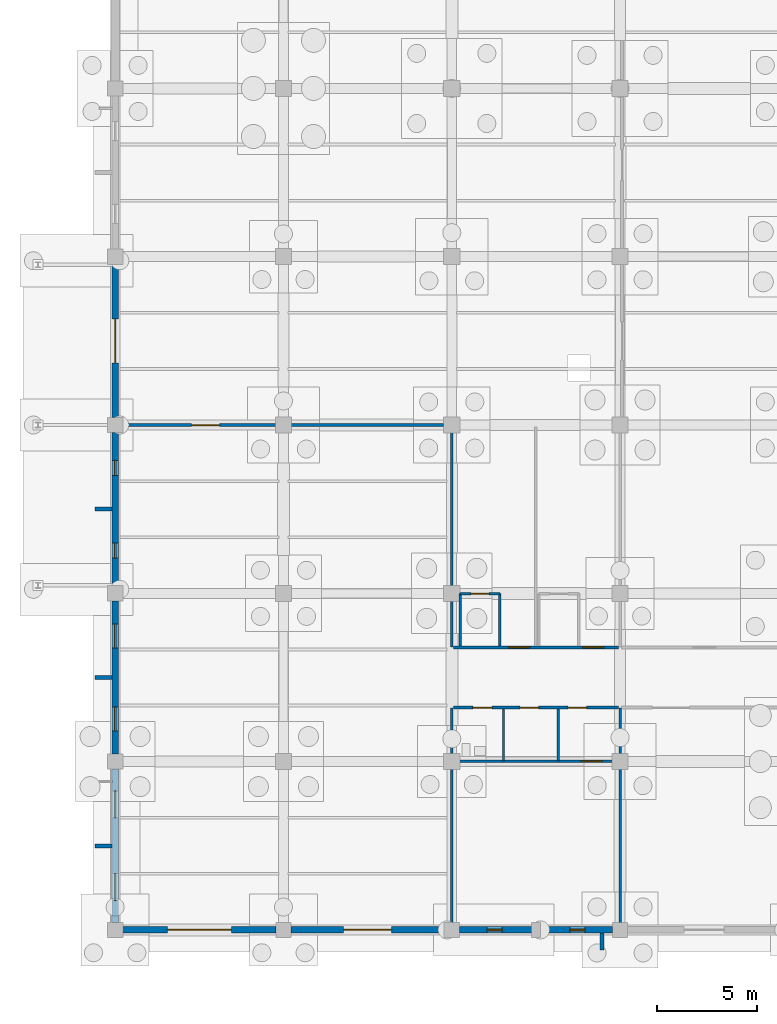
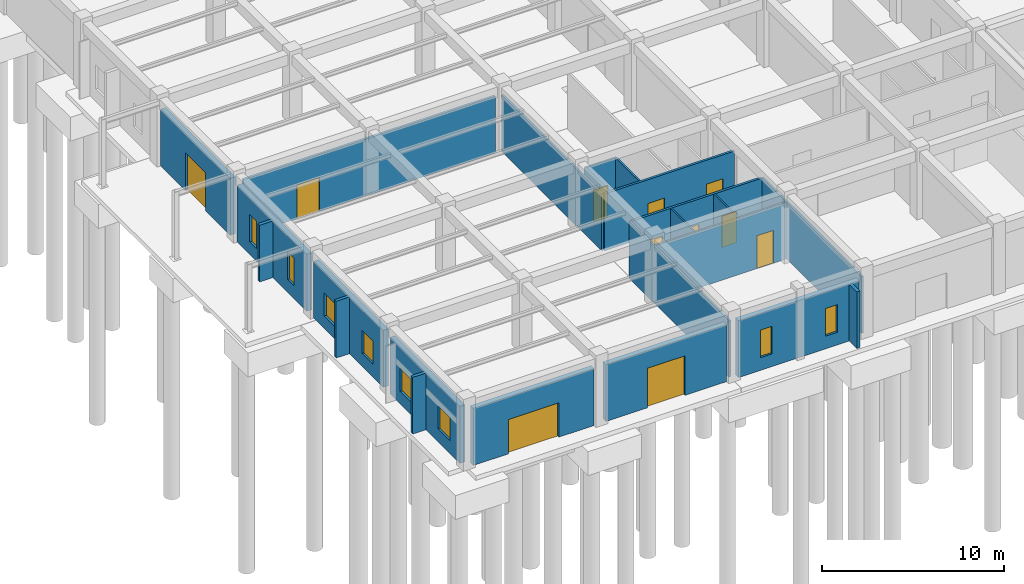
# One storey, part 149 of 192: 23 walls, 11 doors, 8 windows, 19 openings.
"""IFC4 building model written with IfcOpenShell, lengths in metres."""

from ifc_helpers import new_model, si_unit, direction, frame, frame_2d, origin, place, context, subcontext, project, spatial, rectangle, extrude, material, layer, layer_set, type_object, element, fill, save


model = new_model("IFC4")

# Units and contexts
model_context = context("Model", 3, precision=1e-05, world=origin(), true_north=direction((0.0, 1.0)))
body_context = subcontext(model_context, "Body", "Model", "MODEL_VIEW")
ifc_project = project(units=[si_unit("LENGTHUNIT", "METRE"), si_unit("AREAUNIT", "SQUARE_METRE"), si_unit("VOLUMEUNIT", "CUBIC_METRE"), si_unit("PLANEANGLEUNIT", "RADIAN"), si_unit("MASSUNIT", "GRAM", prefix="KILO")], contexts=[model_context])

# Site, building, storey
site_placement = place(None, origin())
site = spatial("IfcSite", under=ifc_project, at=site_placement, CompositionType="ELEMENT")
building_placement = place(site_placement, origin())
building = spatial("IfcBuilding", under=site, at=building_placement, Name="Trelvath General Hospital", CompositionType="ELEMENT")
storey_placement = place(building_placement, origin())
storey = spatial("IfcBuildingStorey", under=building, at=storey_placement, Name="L00", CompositionType="ELEMENT", Elevation=0.0)

# Walls
ifc_material_1 = material(Name="Precast concrete C40/50", Category="concrete")
ifc_layer_1 = layer(ifc_material_1, 0.199951171875)
ifc_layer_set_1 = layer_set([ifc_layer_1], Name="Precast concrete C40/50")
wall_type_1 = type_object("IfcWallType", Name="BriseSoleilRib 200", PredefinedType="ELEMENTEDWALL", material=ifc_layer_set_1)
for number, where, z_axis, x_axis, name in (
    (1, (-0.14990234375, 4.199951171875, 0.0), (0.0, 0.0, 1.0), (-1.0, 0.0, 0.0), "Precast Concrete Brise-Soleil Rib Fin L00-1"),
    (2, (-0.14990234375, 12.60009765625, 0.0), (0.0, 0.0, 1.0), (-1.0, 0.0, 0.0), "Precast Concrete Brise-Soleil Rib Fin L00-2"),
    (3, (-0.14990234375, 21.0, 0.0), (0.0, 0.0, 1.0), (-1.0, 0.0, 0.0), "Precast Concrete Brise-Soleil Rib Fin L00-3"),
    (4, (24.28955078125, -0.14990234375, 0.0), (0.0, 0.0, 1.0), (0.0, -1.0, 0.0), "Precast Concrete Brise-Soleil Rib Fin L00-12"),
):
    element("IfcWall", number, at=place(storey_placement, frame(where, z_axis=z_axis, x_axis=x_axis)), inside=storey, type_object=wall_type_1, Name=name, PredefinedType="ELEMENTEDWALL", context=body_context, shape_type="SweptSolid", body=[
        extrude(rectangle(XDim=0.85009765625, YDim=0.199951171875, at=frame_2d((0.425048828125, 0.0))), origin(), (0.0, 0.0, 1.0), 3.800048828125),
    ])

# Wall, openings, doors
ifc_material_2 = material(Name="Gypsum acoustic steel-stud partition", Category="steel")
ifc_layer_2 = layer(ifc_material_2, 0.14990234375)
ifc_layer_set_2 = layer_set([ifc_layer_2], Name="Gypsum acoustic steel-stud partition")
wall_type_2 = type_object("IfcWallType", Name="ClinicalPartition 150", PredefinedType="PARTITIONING", material=ifc_layer_set_2)
wall_1_placement = place(storey_placement, frame((16.8798828125, 11.10009765625, 0.0), z_axis=(0.0, 0.0, 1.0), x_axis=(1.0, 0.0, 0.0)))
wall_1 = element("IfcWall", 5, at=wall_1_placement, inside=storey, type_object=wall_type_2, Name="Corridor Partition L00-11", PredefinedType="PARTITIONING", context=body_context, shape_type="SweptSolid", body=[
    extrude(rectangle(XDim=8.240234375, YDim=0.14990234375, at=frame_2d((4.1201171875, 0.0))), origin(), (0.0, 0.0, 1.0), 3.800048828125),
])
opening_1_placement = place(wall_1_placement, frame((0.97998046875, 0.0, 0.0)))
opening_1 = element("IfcOpeningElement", 6, at=opening_1_placement, cuts=wall_1, Name="Opening D-0-0285", PredefinedType="OPENING", context=body_context, shape_type="SweptSolid", body=[
    extrude(rectangle(XDim=0.949951171875, YDim=2.14990234375, at=frame_2d((0.47509765625, 1.074951171875))), frame((0.0, 0.0849609375, 0.0), z_axis=(0.0, -1.0, 0.0), x_axis=(1.0, 0.0, 0.0)), (0.0, 0.0, 1.0), 0.169921875),
])
opening_2_placement = place(wall_1_placement, frame((3.330078125, 0.0, 0.0)))
opening_2 = element("IfcOpeningElement", 7, at=opening_2_placement, cuts=wall_1, Name="Opening D-0-0286", PredefinedType="OPENING", context=body_context, shape_type="SweptSolid", body=[
    extrude(rectangle(XDim=0.919921875, YDim=2.10009765625, at=frame_2d((0.4599609375, 1.050048828125))), frame((0.0, 0.0849609375, 0.0), z_axis=(0.0, -1.0, 0.0), x_axis=(1.0, 0.0, 0.0)), (0.0, 0.0, 1.0), 0.169921875),
])
opening_3_placement = place(wall_1_placement, frame((5.72998046875, 0.0, 0.0)))
opening_3 = element("IfcOpeningElement", 8, at=opening_3_placement, cuts=wall_1, Name="Opening D-0-0287", PredefinedType="OPENING", context=body_context, shape_type="SweptSolid", body=[
    extrude(rectangle(XDim=0.919921875, YDim=2.10009765625, at=frame_2d((0.4599609375, 1.050048828125))), frame((0.0, 0.0849609375, 0.0), z_axis=(0.0, -1.0, 0.0), x_axis=(1.0, 0.0, 0.0)), (0.0, 0.0, 1.0), 0.169921875),
])
ifc_material_3 = material(Name="Moisture-sealed timber leaf", Category="wood")
door_type_1 = type_object("IfcDoorType", Name="Door AccessibleWC 950x2150", OperationType="NOTDEFINED", PredefinedType="DOOR", material=ifc_material_3)
door_1_placement = place(opening_1_placement, origin())
door_1 = element("IfcDoor", 9, at=door_1_placement, inside=storey, type_object=door_type_1, Name="Accessible WC Door L00-285", OperationType="SINGLE_SWING_LEFT", OverallHeight=2.14990234375, OverallWidth=0.949951171875, PredefinedType="DOOR", context=body_context, shape_type="SweptSolid", body=[
    extrude(rectangle(XDim=0.949951171875, YDim=2.14990234375, at=frame_2d((0.47509765625, 1.074951171875))), frame((0.0, 0.02490234375, 0.0), z_axis=(0.0, -1.0, 0.0), x_axis=(1.0, 0.0, 0.0)), (0.0, 0.0, 1.0), 0.050048828125),
])
fill(opening_1, door_1)
ifc_material_4 = material(Name="Moisture-sealed timber leaf", Category="wood")
door_type_2 = type_object("IfcDoorType", Name="Door StaffWC 920x2100", OperationType="NOTDEFINED", PredefinedType="DOOR", material=ifc_material_4)
door_2_placement = place(opening_2_placement, origin())
door_2 = element("IfcDoor", 10, at=door_2_placement, inside=storey, type_object=door_type_2, Name="Public WC Door L00-286", OperationType="SINGLE_SWING_RIGHT", OverallHeight=2.10009765625, OverallWidth=0.919921875, PredefinedType="DOOR", context=body_context, shape_type="SweptSolid", body=[
    extrude(rectangle(XDim=0.919921875, YDim=2.10009765625, at=frame_2d((0.4599609375, 1.050048828125))), frame((0.0, 0.02490234375, 0.0), z_axis=(0.0, -1.0, 0.0), x_axis=(1.0, 0.0, 0.0)), (0.0, 0.0, 1.0), 0.050048828125),
])
fill(opening_2, door_2)
door_3_placement = place(opening_3_placement, origin())
door_3 = element("IfcDoor", 11, at=door_3_placement, inside=storey, type_object=door_type_2, Name="Staff WC Door L00-287", OperationType="SINGLE_SWING_LEFT", OverallHeight=2.10009765625, OverallWidth=0.919921875, PredefinedType="DOOR", context=body_context, shape_type="SweptSolid", body=[
    extrude(rectangle(XDim=0.919921875, YDim=2.10009765625, at=frame_2d((0.4599609375, 1.050048828125))), frame((0.0, 0.02490234375, 0.0), z_axis=(0.0, -1.0, 0.0), x_axis=(1.0, 0.0, 0.0)), (0.0, 0.0, 1.0), 0.050048828125),
])
fill(opening_3, door_3)

wall_2_placement = place(storey_placement, frame((25.1201171875, 14.10009765625, 0.0), z_axis=(0.0, 0.0, 1.0), x_axis=(-1.0, 0.0, 0.0)))
wall_2 = element("IfcWall", 12, at=wall_2_placement, inside=storey, type_object=wall_type_2, Name="Corridor Partition N L00-15", PredefinedType="PARTITIONING", context=body_context, shape_type="SweptSolid", body=[
    extrude(rectangle(XDim=8.240234375, YDim=0.14990234375, at=frame_2d((4.1201171875, 0.0))), origin(), (0.0, 0.0, 1.0), 3.800048828125),
])
opening_4_placement = place(wall_2_placement, frame((0.72998046875, 0.0, 0.0)))
opening_4 = element("IfcOpeningElement", 13, at=opening_4_placement, cuts=wall_2, Name="Opening D-0-0289", PredefinedType="OPENING", context=body_context, shape_type="SweptSolid", body=[
    extrude(rectangle(XDim=1.050048828125, YDim=2.199951171875, at=frame_2d((0.52490234375, 1.10009765625))), frame((0.0, 0.0849609375, 0.0), z_axis=(0.0, -1.0, 0.0), x_axis=(1.0, 0.0, 0.0)), (0.0, 0.0, 1.0), 0.169921875),
])
opening_5_placement = place(wall_2_placement, frame((4.429931640625, 0.0, 0.0)))
opening_5 = element("IfcOpeningElement", 14, at=opening_5_placement, cuts=wall_2, Name="Opening D-0-0290", PredefinedType="OPENING", context=body_context, shape_type="SweptSolid", body=[
    extrude(rectangle(XDim=1.050048828125, YDim=2.199951171875, at=frame_2d((0.52490234375, 1.10009765625))), frame((0.0, 0.0849609375, 0.0), z_axis=(0.0, -1.0, 0.0), x_axis=(1.0, 0.0, 0.0)), (0.0, 0.0, 1.0), 0.169921875),
])
ifc_material_5 = material(Name="Acoustic hospital timber leaf", Category="wood")
door_type_3 = type_object("IfcDoorType", Name="Door Consult 1050x2200", OperationType="NOTDEFINED", PredefinedType="DOOR", material=ifc_material_5)
door_4_placement = place(opening_4_placement, origin())
door_4 = element("IfcDoor", 15, at=door_4_placement, inside=storey, type_object=door_type_3, Name="Patient Room Door N L00-289", OperationType="SINGLE_SWING_LEFT", OverallHeight=2.199951171875, OverallWidth=1.050048828125, PredefinedType="DOOR", context=body_context, shape_type="SweptSolid", body=[
    extrude(rectangle(XDim=1.050048828125, YDim=2.199951171875, at=frame_2d((0.52490234375, 1.10009765625))), frame((0.0, 0.02490234375, 0.0), z_axis=(0.0, -1.0, 0.0), x_axis=(1.0, 0.0, 0.0)), (0.0, 0.0, 1.0), 0.050048828125),
])
fill(opening_4, door_4)
door_5_placement = place(opening_5_placement, origin())
door_5 = element("IfcDoor", 16, at=door_5_placement, inside=storey, type_object=door_type_3, Name="Patient Room Door N L00-290", OperationType="SINGLE_SWING_LEFT", OverallHeight=2.199951171875, OverallWidth=1.050048828125, PredefinedType="DOOR", context=body_context, shape_type="SweptSolid", body=[
    extrude(rectangle(XDim=1.050048828125, YDim=2.199951171875, at=frame_2d((0.52490234375, 1.10009765625))), frame((0.0, 0.02490234375, 0.0), z_axis=(0.0, -1.0, 0.0), x_axis=(1.0, 0.0, 0.0)), (0.0, 0.0, 1.0), 0.050048828125),
])
fill(opening_5, door_5)

# Wall, opening, door
wall_3_placement = place(storey_placement, frame((0.419921875, 25.199951171875, 0.0), z_axis=(0.0, 0.0, 1.0), x_axis=(1.0, 0.0, 0.0)))
wall_3 = element("IfcWall", 17, at=wall_3_placement, inside=storey, type_object=wall_type_2, Name="Loading Receiving Partition L00-319", PredefinedType="PARTITIONING", context=body_context, shape_type="SweptSolid", body=[
    extrude(rectangle(XDim=15.9599609375, YDim=0.14990234375, at=frame_2d((7.97998046875, 0.0))), origin(), (0.0, 0.0, 1.0), 3.800048828125),
])
opening_6_placement = place(wall_3_placement, frame((3.39990234375, 0.0, 0.0)))
opening_6 = element("IfcOpeningElement", 18, at=opening_6_placement, cuts=wall_3, Name="Opening D-0-0438", PredefinedType="OPENING", context=body_context, shape_type="SweptSolid", body=[
    extrude(rectangle(XDim=1.39990234375, YDim=2.25, at=frame_2d((0.699951171875, 1.125))), frame((0.0, 0.0849609375, 0.0), z_axis=(0.0, -1.0, 0.0), x_axis=(1.0, 0.0, 0.0)), (0.0, 0.0, 1.0), 0.169921875),
])
ifc_material_6 = material(Name="Fire-rated steel plant pair", Category="steel")
door_type_4 = type_object("IfcDoorType", Name="Door Plant 1400x2250", OperationType="DOUBLE_SWING_LEFT", PredefinedType="DOOR", material=ifc_material_6)
door_6_placement = place(opening_6_placement, origin())
door_6 = element("IfcDoor", 19, at=door_6_placement, inside=storey, type_object=door_type_4, Name="Loading Receiving Door L00-438", OperationType="DOUBLE_SWING_LEFT", OverallHeight=2.25, OverallWidth=1.39990234375, PredefinedType="DOOR", context=body_context, shape_type="SweptSolid", body=[
    extrude(rectangle(XDim=1.39990234375, YDim=2.25, at=frame_2d((0.699951171875, 1.125))), frame((0.0, 0.02490234375, 0.0), z_axis=(0.0, -1.0, 0.0), x_axis=(1.0, 0.0, 0.0)), (0.0, 0.0, 1.0), 0.050048828125),
])
fill(opening_6, door_6)

# Walls
ifc_material_7 = material(Name="Moisture-resistant tile partition")
ifc_layer_3 = layer(ifc_material_7, 0.110107421875)
ifc_layer_set_3 = layer_set([ifc_layer_3], Name="Moisture-resistant tile partition")
wall_type_3 = type_object("IfcWallType", Name="EnSuiteWetWall 110", PredefinedType="PARTITIONING", material=ifc_layer_set_3)
for number, where, z_axis, x_axis, name in (
    (20, (19.3798828125, 8.43994140625, 0.0), (0.0, 0.0, 1.0), (0.0, 1.0, 0.0), "WC Dividing Wall L00-12"),
    (21, (22.1201171875, 8.43994140625, 0.0), (0.0, 0.0, 1.0), (0.0, 1.0, 0.0), "WC Dividing Wall L00-13"),
):
    element("IfcWall", number, at=place(storey_placement, frame(where, z_axis=z_axis, x_axis=x_axis)), inside=storey, type_object=wall_type_3, Name=name, PredefinedType="PARTITIONING", context=body_context, shape_type="SweptSolid", body=[
        extrude(rectangle(XDim=2.590087890625, YDim=0.110107421875, at=frame_2d((1.294921875, 0.0))), origin(), (0.0, 0.0, 1.0), 3.800048828125),
    ])

# Wall, opening, door
wall_4_placement = place(storey_placement, frame((16.8798828125, 8.419921875, 0.0), z_axis=(0.0, 0.0, 1.0), x_axis=(1.0, 0.0, 0.0)))
wall_4 = element("IfcWall", 22, at=wall_4_placement, inside=storey, type_object=wall_type_3, Name="Nurse Station Partition L00-14", PredefinedType="PARTITIONING", context=body_context, shape_type="SweptSolid", body=[
    extrude(rectangle(XDim=8.240234375, YDim=0.110107421875, at=frame_2d((4.1201171875, 0.0))), origin(), (0.0, 0.0, 1.0), 3.800048828125),
])
opening_7_placement = place(wall_4_placement, frame((6.3798828125, 0.0, 0.0)))
opening_7 = element("IfcOpeningElement", 23, at=opening_7_placement, cuts=wall_4, Name="Opening D-0-0288", PredefinedType="OPENING", context=body_context, shape_type="SweptSolid", body=[
    extrude(rectangle(XDim=1.050048828125, YDim=2.199951171875, at=frame_2d((0.52490234375, 1.10009765625))), frame((0.0, 0.06494140625, 0.0), z_axis=(0.0, -1.0, 0.0), x_axis=(1.0, 0.0, 0.0)), (0.0, 0.0, 1.0), 0.130126953125),
])
door_7_placement = place(opening_7_placement, origin())
door_7 = element("IfcDoor", 24, at=door_7_placement, inside=storey, type_object=door_type_3, Name="Nurse Station Door L00-288", OperationType="SINGLE_SWING_RIGHT", OverallHeight=2.199951171875, OverallWidth=1.050048828125, PredefinedType="DOOR", context=body_context, shape_type="SweptSolid", body=[
    extrude(rectangle(XDim=1.050048828125, YDim=2.199951171875, at=frame_2d((0.52490234375, 1.10009765625))), frame((0.0, 0.02490234375, 0.0), z_axis=(0.0, -1.0, 0.0), x_axis=(1.0, 0.0, 0.0)), (0.0, 0.0, 1.0), 0.050048828125),
])
fill(opening_7, door_7)

# Walls
for number, where, z_axis, x_axis, name in (
    (25, (17.219970703125, 14.169921875, 0.0), (0.0, 0.0, 1.0), (0.0, 1.0, 0.0), "En-Suite W Wall N L00-17"),
    (26, (19.199951171875, 14.169921875, 0.0), (0.0, 0.0, 1.0), (0.0, 1.0, 0.0), "En-Suite E Wall N L00-18"),
):
    element("IfcWall", number, at=place(storey_placement, frame(where, z_axis=z_axis, x_axis=x_axis)), inside=storey, type_object=wall_type_3, Name=name, PredefinedType="PARTITIONING", context=body_context, shape_type="SweptSolid", body=[
        extrude(rectangle(XDim=2.610107421875, YDim=0.110107421875, at=frame_2d((1.30517578125, 0.0))), origin(), (0.0, 0.0, 1.0), 3.800048828125),
    ])

# Wall, opening, door
wall_5_placement = place(storey_placement, frame((17.219970703125, 16.780029296875, 0.0), z_axis=(0.0, 0.0, 1.0), x_axis=(1.0, 0.0, 0.0)))
wall_5 = element("IfcWall", 27, at=wall_5_placement, inside=storey, type_object=wall_type_3, Name="En-Suite Bathroom N Partition L00-19", PredefinedType="PARTITIONING", context=body_context, shape_type="SweptSolid", body=[
    extrude(rectangle(XDim=1.97998046875, YDim=0.110107421875, at=frame_2d((0.989990234375, 0.0))), origin(), (0.0, 0.0, 1.0), 3.800048828125),
])
opening_8_placement = place(wall_5_placement, frame((0.5400390625, 0.0, 0.0)))
opening_8 = element("IfcOpeningElement", 28, at=opening_8_placement, cuts=wall_5, Name="Opening D-0-0291", PredefinedType="OPENING", context=body_context, shape_type="SweptSolid", body=[
    extrude(rectangle(XDim=0.89990234375, YDim=2.10009765625, at=frame_2d((0.449951171875, 1.050048828125))), frame((0.0, 0.06494140625, 0.0), z_axis=(0.0, -1.0, 0.0), x_axis=(1.0, 0.0, 0.0)), (0.0, 0.0, 1.0), 0.130126953125),
])
ifc_material_8 = material(Name="Moisture-sealed timber leaf", Category="wood")
door_type_5 = type_object("IfcDoorType", Name="Door EnSuite 900x2100", OperationType="NOTDEFINED", PredefinedType="DOOR", material=ifc_material_8)
door_8_placement = place(opening_8_placement, origin())
door_8 = element("IfcDoor", 29, at=door_8_placement, inside=storey, type_object=door_type_5, Name="En-Suite Bathroom N Door L00-291", OperationType="SINGLE_SWING_RIGHT", OverallHeight=2.10009765625, OverallWidth=0.89990234375, PredefinedType="DOOR", context=body_context, shape_type="SweptSolid", body=[
    extrude(rectangle(XDim=0.89990234375, YDim=2.10009765625, at=frame_2d((0.449951171875, 1.050048828125))), frame((0.0, 0.02490234375, 0.0), z_axis=(0.0, -1.0, 0.0), x_axis=(1.0, 0.0, 0.0)), (0.0, 0.0, 1.0), 0.050048828125),
])
fill(opening_8, door_8)

ifc_material_9 = material(Name="Concrete C35/45", Category="concrete")
ifc_layer_4 = layer(ifc_material_9, 0.320068359375)
ifc_layer_set_4 = layer_set([ifc_layer_4], Name="Concrete C35/45")
wall_type_4 = type_object("IfcWallType", Name="ExtThermalWall 320", PredefinedType="SOLIDWALL", material=ifc_layer_set_4)
wall_6_placement = place(storey_placement, frame((8.02490234375, 0.0, 0.0), z_axis=(0.0, 0.0, 1.0), x_axis=(-1.0, 0.0, 0.0)))
wall_6 = element("IfcWall", 30, at=wall_6_placement, inside=storey, type_object=wall_type_4, Name="Exterior Concrete Wall L00-1", PredefinedType="SOLIDWALL", context=body_context, shape_type="SweptSolid", body=[
    extrude(rectangle(XDim=7.64990234375, YDim=0.320068359375, at=frame_2d((3.824951171875, 0.0))), origin(), (0.0, 0.0, 1.0), 3.820068359375),
])
opening_9_placement = place(wall_6_placement, frame((2.22509765625, 0.0, 0.0)))
opening_9 = element("IfcOpeningElement", 31, at=opening_9_placement, cuts=wall_6, Name="Opening GT-201", PredefinedType="OPENING", context=body_context, shape_type="SweptSolid", body=[
    extrude(rectangle(XDim=3.199951171875, YDim=2.300048828125, at=frame_2d((1.60009765625, 1.14990234375))), frame((0.0, 0.169921875, 0.0), z_axis=(0.0, -1.0, 0.0), x_axis=(1.0, 0.0, 0.0)), (0.0, 0.0, 1.0), 0.340087890625),
])
ifc_material_10 = material(Name="Architectural painted steel yard gate", Category="steel")
door_type_6 = type_object("IfcDoorType", Name="Gate ServiceYard 3200x2300", OperationType="DOUBLE_SWING_LEFT", PredefinedType="GATE", material=ifc_material_10)
door_9_placement = place(opening_9_placement, origin())
door_9 = element("IfcDoor", 32, at=door_9_placement, inside=storey, type_object=door_type_6, Name="Building Service Portal Gate GT-201", OperationType="DOUBLE_SWING_LEFT", OverallHeight=2.300048828125, OverallWidth=3.199951171875, PredefinedType="GATE", context=body_context, shape_type="SweptSolid", body=[
    extrude(rectangle(XDim=3.199951171875, YDim=2.300048828125, at=frame_2d((1.60009765625, 1.14990234375))), frame((0.0, 0.02490234375, 0.0), z_axis=(0.0, -1.0, 0.0), x_axis=(1.0, 0.0, 0.0)), (0.0, 0.0, 1.0), 0.050048828125),
])
fill(opening_9, door_9)

# Wall, openings, windows
wall_7_placement = place(storey_placement, frame((0.0, 0.375, 0.0), z_axis=(0.0, 0.0, 1.0), x_axis=(0.0, 1.0, 0.0)))
wall_7 = element("IfcWall", 33, at=wall_7_placement, inside=storey, type_object=wall_type_4, Name="Exterior Concrete Wall L00-2", PredefinedType="SOLIDWALL", context=body_context, shape_type="SweptSolid", body=[
    extrude(rectangle(XDim=7.64990234375, YDim=0.320068359375, at=frame_2d((3.824951171875, 0.0))), origin(), (0.0, 0.0, 1.0), 3.820068359375),
])
opening_10_placement = place(wall_7_placement, frame((1.08447265625, 0.0, 0.85009765625)))
opening_10 = element("IfcOpeningElement", 34, at=opening_10_placement, cuts=wall_7, Name="Opening WN-0-001", PredefinedType="OPENING", context=body_context, shape_type="SweptSolid", body=[
    extrude(rectangle(XDim=1.35009765625, YDim=1.550048828125, at=frame_2d((0.675048828125, 0.77490234375))), frame((0.0, 0.169921875, 0.0), z_axis=(0.0, -1.0, 0.0), x_axis=(1.0, 0.0, 0.0)), (0.0, 0.0, 1.0), 0.340087890625),
])
opening_11_placement = place(wall_7_placement, frame((5.215576171875, 0.0, 0.85009765625)))
opening_11 = element("IfcOpeningElement", 35, at=opening_11_placement, cuts=wall_7, Name="Opening WN-0-002", PredefinedType="OPENING", context=body_context, shape_type="SweptSolid", body=[
    extrude(rectangle(XDim=1.35009765625, YDim=1.550048828125, at=frame_2d((0.675048828125, 0.77490234375))), frame((0.0, 0.169921875, 0.0), z_axis=(0.0, -1.0, 0.0), x_axis=(1.0, 0.0, 0.0)), (0.0, 0.0, 1.0), 0.340087890625),
])
ifc_material_11 = material(Name="Low-E laminated glass", Category="glass")
window_type_1 = type_object("IfcWindowType", Name="Window WardSouth 1350x1550", PartitioningType="SINGLE_PANEL", PredefinedType="WINDOW", material=ifc_material_11)
window_1_placement = place(opening_10_placement, origin())
window_1 = element("IfcWindow", 36, at=window_1_placement, inside=storey, type_object=window_type_1, Name="Solar Reveal Window L00-1", OverallHeight=1.550048828125, OverallWidth=1.35009765625, PartitioningType="SINGLE_PANEL", PredefinedType="WINDOW", context=body_context, shape_type="SweptSolid", body=[
    extrude(rectangle(XDim=1.35009765625, YDim=1.550048828125, at=frame_2d((0.675048828125, 0.77490234375))), frame((0.0, 0.030029296875, 0.0), z_axis=(0.0, -1.0, 0.0), x_axis=(1.0, 0.0, 0.0)), (0.0, 0.0, 1.0), 0.06005859375),
])
fill(opening_10, window_1)
window_2_placement = place(opening_11_placement, origin())
window_2 = element("IfcWindow", 37, at=window_2_placement, inside=storey, type_object=window_type_1, Name="Solar Reveal Window L00-2", OverallHeight=1.550048828125, OverallWidth=1.35009765625, PartitioningType="SINGLE_PANEL", PredefinedType="WINDOW", context=body_context, shape_type="SweptSolid", body=[
    extrude(rectangle(XDim=1.35009765625, YDim=1.550048828125, at=frame_2d((0.675048828125, 0.77490234375))), frame((0.0, 0.030029296875, 0.0), z_axis=(0.0, -1.0, 0.0), x_axis=(1.0, 0.0, 0.0)), (0.0, 0.0, 1.0), 0.06005859375),
])
fill(opening_11, window_2)

wall_8_placement = place(storey_placement, frame((0.0, 8.77490234375, 0.0), z_axis=(0.0, 0.0, 1.0), x_axis=(0.0, 1.0, 0.0)))
wall_8 = element("IfcWall", 38, at=wall_8_placement, inside=storey, type_object=wall_type_4, Name="Exterior Concrete Wall L00-3", PredefinedType="SOLIDWALL", context=body_context, shape_type="SweptSolid", body=[
    extrude(rectangle(XDim=7.650146484375, YDim=0.320068359375, at=frame_2d((3.8251953125, 0.0))), origin(), (0.0, 0.0, 1.0), 3.820068359375),
])
opening_12_placement = place(wall_8_placement, frame((1.159423828125, 0.0, 0.85009765625)))
opening_12 = element("IfcOpeningElement", 39, at=opening_12_placement, cuts=wall_8, Name="Opening WN-0-003", PredefinedType="OPENING", context=body_context, shape_type="SweptSolid", body=[
    extrude(rectangle(XDim=1.199951171875, YDim=1.550048828125, at=frame_2d((0.60009765625, 0.77490234375))), frame((0.0, 0.169921875, 0.0), z_axis=(0.0, -1.0, 0.0), x_axis=(1.0, 0.0, 0.0)), (0.0, 0.0, 1.0), 0.340087890625),
])
opening_13_placement = place(wall_8_placement, frame((5.29052734375, 0.0, 0.85009765625)))
opening_13 = element("IfcOpeningElement", 40, at=opening_13_placement, cuts=wall_8, Name="Opening WN-0-004", PredefinedType="OPENING", context=body_context, shape_type="SweptSolid", body=[
    extrude(rectangle(XDim=1.199951171875, YDim=1.550048828125, at=frame_2d((0.60009765625, 0.77490234375))), frame((0.0, 0.169921875, 0.0), z_axis=(0.0, -1.0, 0.0), x_axis=(1.0, 0.0, 0.0)), (0.0, 0.0, 1.0), 0.340087890625),
])
ifc_material_12 = material(Name="Low-E laminated glass", Category="glass")
window_type_2 = type_object("IfcWindowType", Name="Window WardSouth 1200x1550", PartitioningType="SINGLE_PANEL", PredefinedType="WINDOW", material=ifc_material_12)
window_3_placement = place(opening_12_placement, origin())
window_3 = element("IfcWindow", 41, at=window_3_placement, inside=storey, type_object=window_type_2, Name="Solar Reveal Window L00-3", OverallHeight=1.550048828125, OverallWidth=1.199951171875, PartitioningType="SINGLE_PANEL", PredefinedType="WINDOW", context=body_context, shape_type="SweptSolid", body=[
    extrude(rectangle(XDim=1.199951171875, YDim=1.550048828125, at=frame_2d((0.60009765625, 0.77490234375))), frame((0.0, 0.030029296875, 0.0), z_axis=(0.0, -1.0, 0.0), x_axis=(1.0, 0.0, 0.0)), (0.0, 0.0, 1.0), 0.06005859375),
])
fill(opening_12, window_3)
window_4_placement = place(opening_13_placement, origin())
window_4 = element("IfcWindow", 42, at=window_4_placement, inside=storey, type_object=window_type_2, Name="Solar Reveal Window L00-4", OverallHeight=1.550048828125, OverallWidth=1.199951171875, PartitioningType="SINGLE_PANEL", PredefinedType="WINDOW", context=body_context, shape_type="SweptSolid", body=[
    extrude(rectangle(XDim=1.199951171875, YDim=1.550048828125, at=frame_2d((0.60009765625, 0.77490234375))), frame((0.0, 0.030029296875, 0.0), z_axis=(0.0, -1.0, 0.0), x_axis=(1.0, 0.0, 0.0)), (0.0, 0.0, 1.0), 0.06005859375),
])
fill(opening_13, window_4)

wall_9_placement = place(storey_placement, frame((0.0, 17.175048828125, 0.0), z_axis=(0.0, 0.0, 1.0), x_axis=(0.0, 1.0, 0.0)))
wall_9 = element("IfcWall", 43, at=wall_9_placement, inside=storey, type_object=wall_type_4, Name="Exterior Concrete Wall L00-4", PredefinedType="SOLIDWALL", context=body_context, shape_type="SweptSolid", body=[
    extrude(rectangle(XDim=7.64990234375, YDim=0.320068359375, at=frame_2d((3.824951171875, 0.0))), origin(), (0.0, 0.0, 1.0), 3.820068359375),
])
opening_14_placement = place(wall_9_placement, frame((1.384521484375, 0.0, 0.85009765625)))
opening_14 = element("IfcOpeningElement", 44, at=opening_14_placement, cuts=wall_9, Name="Opening WN-0-005", PredefinedType="OPENING", context=body_context, shape_type="SweptSolid", body=[
    extrude(rectangle(XDim=0.75, YDim=1.85009765625, at=frame_2d((0.375, 0.925048828125))), frame((0.0, 0.169921875, 0.0), z_axis=(0.0, -1.0, 0.0), x_axis=(1.0, 0.0, 0.0)), (0.0, 0.0, 1.0), 0.340087890625),
])
opening_15_placement = place(wall_9_placement, frame((5.515380859375, 0.0, 0.85009765625)))
opening_15 = element("IfcOpeningElement", 45, at=opening_15_placement, cuts=wall_9, Name="Opening WN-0-006", PredefinedType="OPENING", context=body_context, shape_type="SweptSolid", body=[
    extrude(rectangle(XDim=0.75, YDim=1.85009765625, at=frame_2d((0.375, 0.925048828125))), frame((0.0, 0.169921875, 0.0), z_axis=(0.0, -1.0, 0.0), x_axis=(1.0, 0.0, 0.0)), (0.0, 0.0, 1.0), 0.340087890625),
])
ifc_material_13 = material(Name="Low-E laminated glass", Category="glass")
window_type_3 = type_object("IfcWindowType", Name="Window SunSlot 750x1850", PartitioningType="SINGLE_PANEL", PredefinedType="WINDOW", material=ifc_material_13)
window_5_placement = place(opening_14_placement, origin())
window_5 = element("IfcWindow", 46, at=window_5_placement, inside=storey, type_object=window_type_3, Name="Solar Reveal Window L00-5", OverallHeight=1.85009765625, OverallWidth=0.75, PartitioningType="SINGLE_PANEL", PredefinedType="WINDOW", context=body_context, shape_type="SweptSolid", body=[
    extrude(rectangle(XDim=0.75, YDim=1.85009765625, at=frame_2d((0.375, 0.925048828125))), frame((0.0, 0.030029296875, 0.0), z_axis=(0.0, -1.0, 0.0), x_axis=(1.0, 0.0, 0.0)), (0.0, 0.0, 1.0), 0.06005859375),
])
fill(opening_14, window_5)
window_6_placement = place(opening_15_placement, origin())
window_6 = element("IfcWindow", 47, at=window_6_placement, inside=storey, type_object=window_type_3, Name="Solar Reveal Window L00-6", OverallHeight=1.85009765625, OverallWidth=0.75, PartitioningType="SINGLE_PANEL", PredefinedType="WINDOW", context=body_context, shape_type="SweptSolid", body=[
    extrude(rectangle(XDim=0.75, YDim=1.85009765625, at=frame_2d((0.375, 0.925048828125))), frame((0.0, 0.030029296875, 0.0), z_axis=(0.0, -1.0, 0.0), x_axis=(1.0, 0.0, 0.0)), (0.0, 0.0, 1.0), 0.06005859375),
])
fill(opening_15, window_6)

# Wall, opening, door
wall_10_placement = place(storey_placement, frame((0.0, 25.574951171875, 0.0), z_axis=(0.0, 0.0, 1.0), x_axis=(0.0, 1.0, 0.0)))
wall_10 = element("IfcWall", 48, at=wall_10_placement, inside=storey, type_object=wall_type_4, Name="Exterior Concrete Wall L00-5", PredefinedType="SOLIDWALL", context=body_context, shape_type="SweptSolid", body=[
    extrude(rectangle(XDim=7.650146484375, YDim=0.320068359375, at=frame_2d((3.8251953125, 0.0))), origin(), (0.0, 0.0, 1.0), 3.820068359375),
])
opening_16_placement = place(wall_10_placement, frame((2.72509765625, 0.0, 0.0)))
opening_16 = element("IfcOpeningElement", 49, at=opening_16_placement, cuts=wall_10, Name="Opening E-W01", PredefinedType="OPENING", context=body_context, shape_type="SweptSolid", body=[
    extrude(rectangle(XDim=2.199951171875, YDim=2.550048828125, at=frame_2d((1.10009765625, 1.27490234375))), frame((0.0, 0.169921875, 0.0), z_axis=(0.0, -1.0, 0.0), x_axis=(1.0, 0.0, 0.0)), (0.0, 0.0, 1.0), 0.340087890625),
])
ifc_material_14 = material(Name="Anodised glazed entrance pair")
door_type_7 = type_object("IfcDoorType", Name="Door MainEntry 2200x2550", OperationType="DOUBLE_SWING_LEFT", PredefinedType="DOOR", material=ifc_material_14)
door_10_placement = place(opening_16_placement, origin())
door_10 = element("IfcDoor", 50, at=door_10_placement, inside=storey, type_object=door_type_7, Name="West Outpatient Drop-Off Entrance Door", OperationType="DOUBLE_SWING_LEFT", OverallHeight=2.550048828125, OverallWidth=2.199951171875, PredefinedType="DOOR", context=body_context, shape_type="SweptSolid", body=[
    extrude(rectangle(XDim=2.199951171875, YDim=2.550048828125, at=frame_2d((1.10009765625, 1.27490234375))), frame((0.0, 0.02490234375, 0.0), z_axis=(0.0, -1.0, 0.0), x_axis=(1.0, 0.0, 0.0)), (0.0, 0.0, 1.0), 0.050048828125),
])
fill(opening_16, door_10)

wall_11_placement = place(storey_placement, frame((16.425048828125, 0.0, 0.0), z_axis=(0.0, 0.0, 1.0), x_axis=(-1.0, 0.0, 0.0)))
wall_11 = element("IfcWall", 51, at=wall_11_placement, inside=storey, type_object=wall_type_4, Name="Exterior Concrete Wall L00-17", PredefinedType="SOLIDWALL", context=body_context, shape_type="SweptSolid", body=[
    extrude(rectangle(XDim=7.650146484375, YDim=0.320068359375, at=frame_2d((3.8251953125, 0.0))), origin(), (0.0, 0.0, 1.0), 3.820068359375),
])
opening_17_placement = place(wall_11_placement, frame((2.625, 0.0, 0.0)))
opening_17 = element("IfcOpeningElement", 52, at=opening_17_placement, cuts=wall_11, Name="Opening ED-LD1", PredefinedType="OPENING", context=body_context, shape_type="SweptSolid", body=[
    extrude(rectangle(XDim=2.39990234375, YDim=2.64990234375, at=frame_2d((1.199951171875, 1.324951171875))), frame((0.0, 0.169921875, 0.0), z_axis=(0.0, -1.0, 0.0), x_axis=(1.0, 0.0, 0.0)), (0.0, 0.0, 1.0), 0.340087890625),
])
ifc_material_15 = material(Name="Insulated steel loading dock pair", Category="steel")
door_type_8 = type_object("IfcDoorType", Name="Door Loading 2400x2650", OperationType="DOUBLE_SWING_LEFT", PredefinedType="DOOR", material=ifc_material_15)
door_11_placement = place(opening_17_placement, origin())
door_11 = element("IfcDoor", 53, at=door_11_placement, inside=storey, type_object=door_type_8, Name="Sterile Receiving Loading Dock Door", OperationType="DOUBLE_SWING_LEFT", OverallHeight=2.64990234375, OverallWidth=2.39990234375, PredefinedType="DOOR", context=body_context, shape_type="SweptSolid", body=[
    extrude(rectangle(XDim=2.39990234375, YDim=2.64990234375, at=frame_2d((1.199951171875, 1.324951171875))), frame((0.0, 0.02490234375, 0.0), z_axis=(0.0, -1.0, 0.0), x_axis=(1.0, 0.0, 0.0)), (0.0, 0.0, 1.0), 0.050048828125),
])
fill(opening_17, door_11)

# Wall, openings, windows
wall_12_placement = place(storey_placement, frame((24.824951171875, 0.0, 0.0), z_axis=(0.0, 0.0, 1.0), x_axis=(-1.0, 0.0, 0.0)))
wall_12 = element("IfcWall", 54, at=wall_12_placement, inside=storey, type_object=wall_type_4, Name="Exterior Concrete Wall L00-19", PredefinedType="SOLIDWALL", context=body_context, shape_type="SweptSolid", body=[
    extrude(rectangle(XDim=7.64990234375, YDim=0.320068359375, at=frame_2d((3.824951171875, 0.0))), origin(), (0.0, 0.0, 1.0), 3.820068359375),
])
opening_18_placement = place(wall_12_placement, frame((1.384521484375, 0.0, 0.85009765625)))
opening_18 = element("IfcOpeningElement", 55, at=opening_18_placement, cuts=wall_12, Name="Opening WN-0-023", PredefinedType="OPENING", context=body_context, shape_type="SweptSolid", body=[
    extrude(rectangle(XDim=0.75, YDim=1.85009765625, at=frame_2d((0.375, 0.925048828125))), frame((0.0, 0.169921875, 0.0), z_axis=(0.0, -1.0, 0.0), x_axis=(1.0, 0.0, 0.0)), (0.0, 0.0, 1.0), 0.340087890625),
])
opening_19_placement = place(wall_12_placement, frame((5.515380859375, 0.0, 0.85009765625)))
opening_19 = element("IfcOpeningElement", 56, at=opening_19_placement, cuts=wall_12, Name="Opening WN-0-024", PredefinedType="OPENING", context=body_context, shape_type="SweptSolid", body=[
    extrude(rectangle(XDim=0.75, YDim=1.85009765625, at=frame_2d((0.375, 0.925048828125))), frame((0.0, 0.169921875, 0.0), z_axis=(0.0, -1.0, 0.0), x_axis=(1.0, 0.0, 0.0)), (0.0, 0.0, 1.0), 0.340087890625),
])
window_7_placement = place(opening_18_placement, origin())
window_7 = element("IfcWindow", 57, at=window_7_placement, inside=storey, type_object=window_type_3, Name="Solar Reveal Window L00-23", OverallHeight=1.85009765625, OverallWidth=0.75, PartitioningType="SINGLE_PANEL", PredefinedType="WINDOW", context=body_context, shape_type="SweptSolid", body=[
    extrude(rectangle(XDim=0.75, YDim=1.85009765625, at=frame_2d((0.375, 0.925048828125))), frame((0.0, 0.030029296875, 0.0), z_axis=(0.0, -1.0, 0.0), x_axis=(1.0, 0.0, 0.0)), (0.0, 0.0, 1.0), 0.06005859375),
])
fill(opening_18, window_7)
window_8_placement = place(opening_19_placement, origin())
window_8 = element("IfcWindow", 58, at=window_8_placement, inside=storey, type_object=window_type_3, Name="Solar Reveal Window L00-24", OverallHeight=1.85009765625, OverallWidth=0.75, PartitioningType="SINGLE_PANEL", PredefinedType="WINDOW", context=body_context, shape_type="SweptSolid", body=[
    extrude(rectangle(XDim=0.75, YDim=1.85009765625, at=frame_2d((0.375, 0.925048828125))), frame((0.0, 0.030029296875, 0.0), z_axis=(0.0, -1.0, 0.0), x_axis=(1.0, 0.0, 0.0)), (0.0, 0.0, 1.0), 0.06005859375),
])
fill(opening_19, window_8)

# Walls
ifc_material_16 = material(Name="Gypsum acoustic steel-stud partition", Category="steel")
ifc_layer_5 = layer(ifc_material_16, 0.1298828125)
ifc_layer_set_5 = layer_set([ifc_layer_5], Name="Gypsum acoustic steel-stud partition")
wall_type_5 = type_object("IfcWallType", Name="WardPartition 130", PredefinedType="PARTITIONING", material=ifc_layer_set_5)
wall_13_placement = place(storey_placement, frame((16.800048828125, 0.139892578125, 0.0), z_axis=(0.0, 0.0, 1.0), x_axis=(0.0, 1.0, 0.0)))
element("IfcWall", 59, at=wall_13_placement, inside=storey, type_object=wall_type_5, Name="Inter-Bay Ward Partition S L00-9", PredefinedType="PARTITIONING", context=body_context, shape_type="SweptSolid", body=[
    extrude(rectangle(XDim=10.940185546875, YDim=0.1298828125, at=frame_2d((5.47021484375, 0.0))), origin(), (0.0, 0.0, 1.0), 3.800048828125),
])
wall_14_placement = place(storey_placement, frame((16.800048828125, 14.1201171875, 0.0), z_axis=(0.0, 0.0, 1.0), x_axis=(0.0, 1.0, 0.0)))
element("IfcWall", 60, at=wall_14_placement, inside=storey, type_object=wall_type_5, Name="Inter-Bay Ward Partition N L00-10", PredefinedType="PARTITIONING", context=body_context, shape_type="SweptSolid", body=[
    extrude(rectangle(XDim=10.93994140625, YDim=0.1298828125, at=frame_2d((5.469970703125, 0.0))), origin(), (0.0, 0.0, 1.0), 3.800048828125),
])
wall_15_placement = place(storey_placement, frame((25.199951171875, 0.139892578125, 0.0), z_axis=(0.0, 0.0, 1.0), x_axis=(0.0, 1.0, 0.0)))
element("IfcWall", 61, at=wall_15_placement, inside=storey, type_object=wall_type_5, Name="Inter-Bay Ward Partition S L00-23", PredefinedType="PARTITIONING", context=body_context, shape_type="SweptSolid", body=[
    extrude(rectangle(XDim=10.940185546875, YDim=0.1298828125, at=frame_2d((5.47021484375, 0.0))), origin(), (0.0, 0.0, 1.0), 3.800048828125),
])

save(model, "model.ifc")
